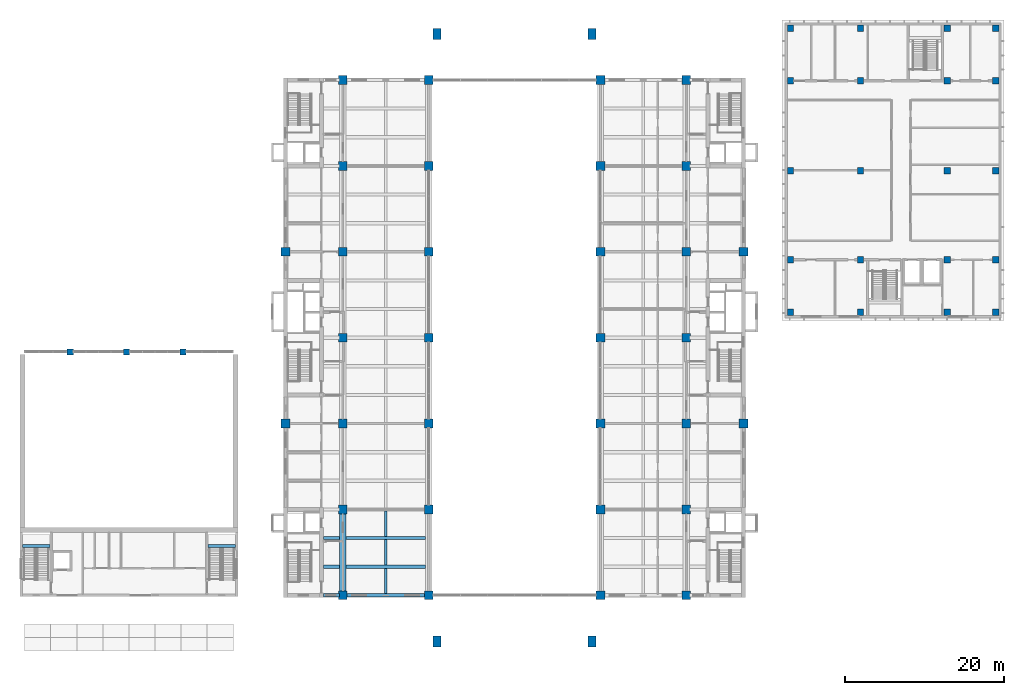
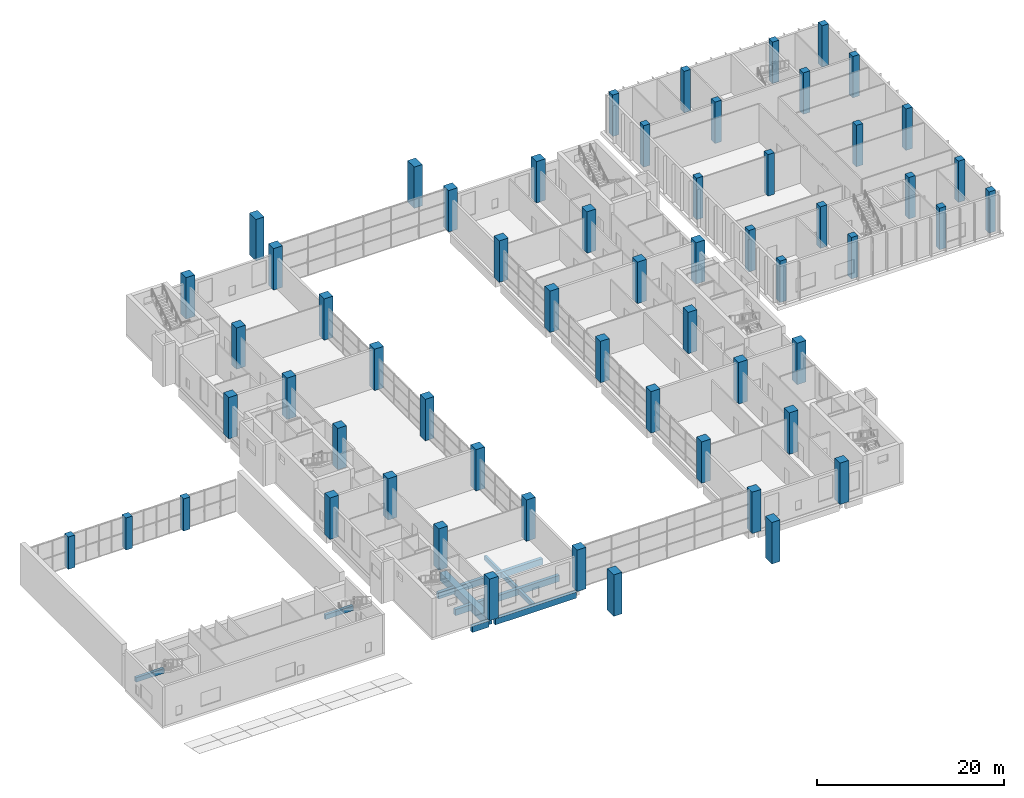
# One storey, part 1 of 33: 59 columns, 12 beams.
"""IFC4 building model written with IfcOpenShell, lengths in metres."""

from ifc_helpers import new_model, si_unit, direction, frame, origin, origin_2d, place, context, subcontext, project, spatial, rectangle, extrude, material, material_profile, profile_set, type_object, element, save


model = new_model("IFC4")

# Units and contexts
model_context = context("Model", 3, precision=1e-05, world=origin(), true_north=direction((0.0, 1.0)))
body_context = subcontext(model_context, "Body", "Model", "MODEL_VIEW")
ifc_project = project(units=[si_unit("LENGTHUNIT", "METRE"), si_unit("AREAUNIT", "SQUARE_METRE"), si_unit("VOLUMEUNIT", "CUBIC_METRE"), si_unit("PLANEANGLEUNIT", "RADIAN"), si_unit("MASSUNIT", "GRAM", prefix="KILO")], contexts=[model_context])

# Site, building, storey
site_placement = place(None, origin())
site = spatial("IfcSite", under=ifc_project, at=site_placement, CompositionType="ELEMENT")
building_placement = place(site_placement, origin())
building = spatial("IfcBuilding", under=site, at=building_placement, Name="Basin Gate Institute", CompositionType="ELEMENT")
storey_placement = place(building_placement, frame((0.0, 0.0, 6.0)))
storey = spatial("IfcBuildingStorey", under=building, at=storey_placement, Name="L01", CompositionType="ELEMENT", Elevation=6.0)

# Columns
ifc_material_1 = material(Name="Concrete 60 MPa", Category="concrete")
ifc_material_profile_1 = material_profile(ifc_material_1, rectangle(XDim=1.10009765625, YDim=1.10009765625, at=origin_2d()), Name="Column C1 1100 x 1100")
ifc_profile_set_1 = profile_set([ifc_material_profile_1], Name="Concrete 60 MPa")
column_type_1 = type_object("IfcColumnType", Name="Column C1 R180", PredefinedType="COLUMN", material=ifc_profile_set_1)
for number, where, z_axis, x_axis, name in (
    (1, (61.199951171875, 56.699951171875, 0.0), (0.0, 0.0, 1.0), (1.0, 0.0, 0.0), "COL/L01/4C"),
    (2, (61.199951171875, 78.300048828125, 0.0), (0.0, 0.0, 1.0), (1.0, 0.0, 0.0), "COL/L01/4E"),
    (3, (68.39990234375, 35.10009765625, 0.0), (0.0, 0.0, 1.0), (1.0, 0.0, 0.0), "COL/L01/5A"),
    (4, (68.39990234375, 45.89990234375, 0.0), (0.0, 0.0, 1.0), (1.0, 0.0, 0.0), "COL/L01/5B"),
    (5, (68.39990234375, 56.699951171875, 0.0), (0.0, 0.0, 1.0), (1.0, 0.0, 0.0), "COL/L01/5C"),
    (6, (68.39990234375, 67.5, 0.0), (0.0, 0.0, 1.0), (1.0, 0.0, 0.0), "COL/L01/5D"),
    (7, (68.39990234375, 78.300048828125, 0.0), (0.0, 0.0, 1.0), (1.0, 0.0, 0.0), "COL/L01/5E"),
    (8, (68.39990234375, 89.10009765625, 0.0), (0.0, 0.0, 1.0), (1.0, 0.0, 0.0), "COL/L01/5F"),
    (9, (68.39990234375, 99.89990234375, 0.0), (0.0, 0.0, 1.0), (1.0, 0.0, 0.0), "COL/L01/5G"),
    (10, (79.199951171875, 35.10009765625, 0.0), (0.0, 0.0, 1.0), (1.0, 0.0, 0.0), "COL/L01/6A"),
    (11, (79.199951171875, 45.89990234375, 0.0), (0.0, 0.0, 1.0), (1.0, 0.0, 0.0), "COL/L01/6B"),
    (12, (79.199951171875, 56.699951171875, 0.0), (0.0, 0.0, 1.0), (1.0, 0.0, 0.0), "COL/L01/6C"),
    (13, (79.199951171875, 67.5, 0.0), (0.0, 0.0, 1.0), (1.0, 0.0, 0.0), "COL/L01/6D"),
    (14, (79.199951171875, 78.300048828125, 0.0), (0.0, 0.0, 1.0), (1.0, 0.0, 0.0), "COL/L01/6E"),
    (15, (79.199951171875, 89.10009765625, 0.0), (0.0, 0.0, 1.0), (1.0, 0.0, 0.0), "COL/L01/6F"),
    (16, (79.199951171875, 99.89990234375, 0.0), (0.0, 0.0, 1.0), (1.0, 0.0, 0.0), "COL/L01/6G"),
    (17, (118.800048828125, 56.699951171875, 0.0), (0.0, 0.0, 1.0), (1.0, 0.0, 0.0), "COL/L01/9C"),
    (18, (118.800048828125, 78.300048828125, 0.0), (0.0, 0.0, 1.0), (1.0, 0.0, 0.0), "COL/L01/9E"),
    (19, (111.60009765625, 35.10009765625, 0.0), (0.0, 0.0, 1.0), (1.0, 0.0, 0.0), "COL/L01/8A"),
    (20, (111.60009765625, 45.89990234375, 0.0), (0.0, 0.0, 1.0), (1.0, 0.0, 0.0), "COL/L01/8B"),
    (21, (111.60009765625, 56.699951171875, 0.0), (0.0, 0.0, 1.0), (1.0, 0.0, 0.0), "COL/L01/8C"),
    (22, (111.60009765625, 67.5, 0.0), (0.0, 0.0, 1.0), (1.0, 0.0, 0.0), "COL/L01/8D"),
    (23, (111.60009765625, 78.300048828125, 0.0), (0.0, 0.0, 1.0), (1.0, 0.0, 0.0), "COL/L01/8E"),
    (24, (111.60009765625, 89.10009765625, 0.0), (0.0, 0.0, 1.0), (1.0, 0.0, 0.0), "COL/L01/8F"),
    (25, (111.60009765625, 99.89990234375, 0.0), (0.0, 0.0, 1.0), (1.0, 0.0, 0.0), "COL/L01/8G"),
    (26, (100.800048828125, 35.10009765625, 0.0), (0.0, 0.0, 1.0), (1.0, 0.0, 0.0), "COL/L01/7A"),
    (27, (100.800048828125, 45.89990234375, 0.0), (0.0, 0.0, 1.0), (1.0, 0.0, 0.0), "COL/L01/7B"),
    (28, (100.800048828125, 56.699951171875, 0.0), (0.0, 0.0, 1.0), (1.0, 0.0, 0.0), "COL/L01/7C"),
    (29, (100.800048828125, 67.5, 0.0), (0.0, 0.0, 1.0), (1.0, 0.0, 0.0), "COL/L01/7D"),
    (30, (100.800048828125, 78.300048828125, 0.0), (0.0, 0.0, 1.0), (1.0, 0.0, 0.0), "COL/L01/7E"),
    (31, (100.800048828125, 89.10009765625, 0.0), (0.0, 0.0, 1.0), (1.0, 0.0, 0.0), "COL/L01/7F"),
    (32, (100.800048828125, 99.89990234375, 0.0), (0.0, 0.0, 1.0), (1.0, 0.0, 0.0), "COL/L01/7G"),
):
    element("IfcColumn", number, at=place(storey_placement, frame(where, z_axis=z_axis, x_axis=x_axis)), inside=storey, type_object=column_type_1, material=ifc_profile_set_1, Name=name, PredefinedType="COLUMN", context=body_context, shape_type="SweptSolid", body=[
        extrude(rectangle(XDim=1.10009765625, YDim=1.10009765625, at=origin_2d()), origin(), (0.0, 0.0, 1.0), 5.39990234375),
    ])
ifc_material_2 = material(Name="Concrete 50 MPa", Category="concrete")
ifc_material_profile_2 = material_profile(ifc_material_2, rectangle(XDim=0.800048828125, YDim=0.800048828125, at=origin_2d()), Name="Column C4 800 x 800")
ifc_profile_set_2 = profile_set([ifc_material_profile_2], Name="Concrete 50 MPa")
column_type_2 = type_object("IfcColumnType", Name="Column C4 R180", PredefinedType="COLUMN", material=ifc_profile_set_2)
for number, where, z_axis, x_axis, name in (
    (33, (34.10009765625, 65.699951171875, 0.0), (0.0, 0.0, 1.0), (1.0, 0.0, 0.0), "Theatre clerestory column R180 1"),
    (34, (41.199951171875, 65.699951171875, 0.0), (0.0, 0.0, 1.0), (1.0, 0.0, 0.0), "Theatre clerestory column R180 2"),
    (35, (48.300048828125, 65.699951171875, 0.0), (0.0, 0.0, 1.0), (1.0, 0.0, 0.0), "Theatre clerestory column R180 3"),
):
    element("IfcColumn", number, at=place(storey_placement, frame(where, z_axis=z_axis, x_axis=x_axis)), inside=storey, type_object=column_type_2, material=ifc_profile_set_2, Name=name, PredefinedType="COLUMN", context=body_context, shape_type="SweptSolid", body=[
        extrude(rectangle(XDim=0.800048828125, YDim=0.800048828125, at=origin_2d()), origin(), (0.0, 0.0, 1.0), 4.199951171875),
    ])
for number, where, z_axis, x_axis, name in (
    (36, (124.699951171875, 70.699951171875, 0.0), (0.0, 0.0, 1.0), (1.0, 0.0, 0.0), "Clean block column R180 1/1 L01"),
    (37, (124.699951171875, 77.300048828125, 0.0), (0.0, 0.0, 1.0), (1.0, 0.0, 0.0), "Clean block column R180 1/2 L01"),
    (38, (124.699951171875, 88.5, 0.0), (0.0, 0.0, 1.0), (1.0, 0.0, 0.0), "Clean block column R180 1/3 L01"),
    (39, (124.699951171875, 99.800048828125, 0.0), (0.0, 0.0, 1.0), (1.0, 0.0, 0.0), "Clean block column R180 1/4 L01"),
    (40, (124.699951171875, 106.39990234375, 0.0), (0.0, 0.0, 1.0), (1.0, 0.0, 0.0), "Clean block column R180 1/5 L01"),
    (41, (133.5, 70.699951171875, 0.0), (0.0, 0.0, 1.0), (1.0, 0.0, 0.0), "Clean block column R180 2/1 L01"),
    (42, (133.5, 77.300048828125, 0.0), (0.0, 0.0, 1.0), (1.0, 0.0, 0.0), "Clean block column R180 2/2 L01"),
    (43, (133.5, 88.5, 0.0), (0.0, 0.0, 1.0), (1.0, 0.0, 0.0), "Clean block column R180 2/3 L01"),
    (44, (133.5, 99.800048828125, 0.0), (0.0, 0.0, 1.0), (1.0, 0.0, 0.0), "Clean block column R180 2/4 L01"),
    (45, (133.5, 106.39990234375, 0.0), (0.0, 0.0, 1.0), (1.0, 0.0, 0.0), "Clean block column R180 2/5 L01"),
    (46, (144.39990234375, 70.699951171875, 0.0), (0.0, 0.0, 1.0), (1.0, 0.0, 0.0), "Clean block column R180 3/1 L01"),
    (47, (144.39990234375, 77.300048828125, 0.0), (0.0, 0.0, 1.0), (1.0, 0.0, 0.0), "Clean block column R180 3/2 L01"),
    (48, (144.39990234375, 88.5, 0.0), (0.0, 0.0, 1.0), (1.0, 0.0, 0.0), "Clean block column R180 3/3 L01"),
    (49, (144.39990234375, 99.800048828125, 0.0), (0.0, 0.0, 1.0), (1.0, 0.0, 0.0), "Clean block column R180 3/4 L01"),
    (50, (144.39990234375, 106.39990234375, 0.0), (0.0, 0.0, 1.0), (1.0, 0.0, 0.0), "Clean block column R180 3/5 L01"),
    (51, (150.5, 70.699951171875, 0.0), (0.0, 0.0, 1.0), (1.0, 0.0, 0.0), "Clean block column R180 4/1 L01"),
    (52, (150.5, 77.300048828125, 0.0), (0.0, 0.0, 1.0), (1.0, 0.0, 0.0), "Clean block column R180 4/2 L01"),
    (53, (150.5, 88.5, 0.0), (0.0, 0.0, 1.0), (1.0, 0.0, 0.0), "Clean block column R180 4/3 L01"),
    (54, (150.5, 99.800048828125, 0.0), (0.0, 0.0, 1.0), (1.0, 0.0, 0.0), "Clean block column R180 4/4 L01"),
    (55, (150.5, 106.39990234375, 0.0), (0.0, 0.0, 1.0), (1.0, 0.0, 0.0), "Clean block column R180 4/5 L01"),
):
    element("IfcColumn", number, at=place(storey_placement, frame(where, z_axis=z_axis, x_axis=x_axis)), inside=storey, type_object=column_type_2, material=ifc_profile_set_2, Name=name, PredefinedType="COLUMN", context=body_context, shape_type="SweptSolid", body=[
        extrude(rectangle(XDim=0.800048828125, YDim=0.800048828125, at=origin_2d()), origin(), (0.0, 0.0, 1.0), 5.39990234375),
    ])
ifc_material_3 = material(Name="Concrete 40 MPa", Category="concrete")
ifc_material_profile_3 = material_profile(ifc_material_3, rectangle(XDim=1.0, YDim=1.39990234375, at=origin_2d()), Name="Shell portal column SC1 1000 x 1400")
ifc_profile_set_3 = profile_set([ifc_material_profile_3], Name="Concrete 40 MPa")
column_type_3 = type_object("IfcColumnType", Name="Shell portal column SC1 R180", PredefinedType="COLUMN", material=ifc_profile_set_3)
for number, where, z_axis, x_axis, name in (
    (56, (80.25, 29.300048828125, 0.0), (0.0, 0.0, 1.0), (1.0, 0.0, 0.0), "Atrium shell portal column R180 SW L01"),
    (57, (99.75, 29.300048828125, 0.0), (0.0, 0.0, 1.0), (1.0, 0.0, 0.0), "Atrium shell portal column R180 SE L01"),
    (58, (80.25, 105.699951171875, 0.0), (0.0, 0.0, 1.0), (1.0, 0.0, 0.0), "Atrium shell portal column R180 NW L01"),
    (59, (99.75, 105.699951171875, 0.0), (0.0, 0.0, 1.0), (1.0, 0.0, 0.0), "Atrium shell portal column R180 NE L01"),
):
    element("IfcColumn", number, at=place(storey_placement, frame(where, z_axis=z_axis, x_axis=x_axis)), inside=storey, type_object=column_type_3, material=ifc_profile_set_3, Name=name, PredefinedType="COLUMN", context=body_context, shape_type="SweptSolid", body=[
        extrude(rectangle(XDim=1.0, YDim=1.39990234375, at=origin_2d()), origin(), (0.0, 0.0, 1.0), 5.39990234375),
    ])

# Beams
ifc_material_4 = material(Name="Concrete 40 MPa", Category="concrete")
ifc_material_profile_4 = material_profile(ifc_material_4, rectangle(XDim=0.39990234375, YDim=0.800048828125, at=origin_2d()), Name="Beam B2 400 x 800")
ifc_profile_set_4 = profile_set([ifc_material_profile_4], Name="Concrete 40 MPa")
beam_type_1 = type_object("IfcBeamType", Name="Beam B2 R180", PredefinedType="BEAM", material=ifc_profile_set_4)
beam_1_placement = place(storey_placement, frame((68.800048828125, 35.10009765625, -0.699951171875), z_axis=(1.0, 0.0, 0.0), x_axis=(0.0, 1.0, 0.0)))
element("IfcBeam", 60, at=beam_1_placement, inside=storey, type_object=beam_type_1, material=ifc_profile_set_4, Name="BEAM/L01/W/EW/01", PredefinedType="BEAM", context=body_context, shape_type="SweptSolid", body=[
    extrude(rectangle(XDim=0.39990234375, YDim=0.800048828125, at=origin_2d()), origin(), (0.0, 0.0, 1.0), 10.0),
])
beam_2_placement = place(storey_placement, frame((65.949951171875, 35.10009765625, -0.699951171875), z_axis=(1.0, 0.0, 0.0), x_axis=(0.0, 1.0, 0.0)))
element("IfcBeam", 61, at=beam_2_placement, inside=storey, type_object=beam_type_1, material=ifc_profile_set_4, Name="BEAM/L01/W/CORR/01", PredefinedType="BEAM", context=body_context, shape_type="SweptSolid", body=[
    extrude(rectangle(XDim=0.39990234375, YDim=0.800048828125, at=origin_2d()), origin(), (0.0, 0.0, 1.0), 2.050048828125),
])
beam_3_placement = place(storey_placement, frame((68.800048828125, 38.699951171875, -0.699951171875), z_axis=(1.0, 0.0, 0.0), x_axis=(0.0, 1.0, 0.0)))
element("IfcBeam", 62, at=beam_3_placement, inside=storey, type_object=beam_type_1, material=ifc_profile_set_4, Name="BEAM/L01/W/EW/02", PredefinedType="BEAM", context=body_context, shape_type="SweptSolid", body=[
    extrude(rectangle(XDim=0.39990234375, YDim=0.800048828125, at=origin_2d()), origin(), (0.0, 0.0, 1.0), 10.0),
])
beam_4_placement = place(storey_placement, frame((65.949951171875, 38.699951171875, -0.699951171875), z_axis=(1.0, 0.0, 0.0), x_axis=(0.0, 1.0, 0.0)))
element("IfcBeam", 63, at=beam_4_placement, inside=storey, type_object=beam_type_1, material=ifc_profile_set_4, Name="BEAM/L01/W/CORR/02", PredefinedType="BEAM", context=body_context, shape_type="SweptSolid", body=[
    extrude(rectangle(XDim=0.39990234375, YDim=0.800048828125, at=origin_2d()), origin(), (0.0, 0.0, 1.0), 2.050048828125),
])
beam_5_placement = place(storey_placement, frame((68.800048828125, 42.300048828125, -0.699951171875), z_axis=(1.0, 0.0, 0.0), x_axis=(0.0, 1.0, 0.0)))
element("IfcBeam", 64, at=beam_5_placement, inside=storey, type_object=beam_type_1, material=ifc_profile_set_4, Name="BEAM/L01/W/EW/03", PredefinedType="BEAM", context=body_context, shape_type="SweptSolid", body=[
    extrude(rectangle(XDim=0.39990234375, YDim=0.800048828125, at=origin_2d()), origin(), (0.0, 0.0, 1.0), 10.0),
])
beam_6_placement = place(storey_placement, frame((65.949951171875, 42.300048828125, -0.699951171875), z_axis=(1.0, 0.0, 0.0), x_axis=(0.0, 1.0, 0.0)))
element("IfcBeam", 65, at=beam_6_placement, inside=storey, type_object=beam_type_1, material=ifc_profile_set_4, Name="BEAM/L01/W/CORR/03", PredefinedType="BEAM", context=body_context, shape_type="SweptSolid", body=[
    extrude(rectangle(XDim=0.39990234375, YDim=0.800048828125, at=origin_2d()), origin(), (0.0, 0.0, 1.0), 2.050048828125),
])
ifc_material_5 = material(Name="Concrete 40 MPa", Category="concrete")
ifc_material_profile_5 = material_profile(ifc_material_5, rectangle(XDim=0.35009765625, YDim=0.60009765625, at=origin_2d()), Name="Beam B4 350 x 600")
ifc_profile_set_5 = profile_set([ifc_material_profile_5], Name="Concrete 40 MPa")
beam_type_2 = type_object("IfcBeamType", Name="Beam B4 R180", PredefinedType="BEAM", material=ifc_profile_set_5)
for number, where, z_axis, x_axis, name in (
    (66, (28.10009765625, 41.28759765625, 2.199951171875), (1.0, 0.0, 0.0), (0.0, 1.0, 0.0), "Stair landing beam ST-T2 L01"),
    (67, (51.425048828125, 41.28759765625, 2.199951171875), (1.0, 0.0, 0.0), (0.0, 1.0, 0.0), "Stair landing beam ST-T4 L01"),
):
    element("IfcBeam", number, at=place(storey_placement, frame(where, z_axis=z_axis, x_axis=x_axis)), inside=storey, type_object=beam_type_2, material=ifc_profile_set_5, Name=name, PredefinedType="BEAM", context=body_context, shape_type="SweptSolid", body=[
        extrude(rectangle(XDim=0.35009765625, YDim=0.60009765625, at=origin_2d()), origin(), (0.0, 0.0, 1.0), 3.474853515625),
    ])
ifc_material_6 = material(Name="Concrete 50 MPa", Category="concrete")
ifc_material_profile_6 = material_profile(ifc_material_6, rectangle(XDim=0.800048828125, YDim=1.10009765625, at=origin_2d()), Name="Girder G2 800 x 1100")
ifc_profile_set_6 = profile_set([ifc_material_profile_6], Name="Concrete 50 MPa")
beam_type_3 = type_object("IfcBeamType", Name="Girder G2 R180", PredefinedType="BEAM", material=ifc_profile_set_6)
beam_7_placement = place(storey_placement, frame((68.39990234375, 35.64990234375, -0.85009765625), z_axis=(0.0, 1.0, 0.0), x_axis=(-1.0, 0.0, 0.0)))
element("IfcBeam", 68, at=beam_7_placement, inside=storey, type_object=beam_type_3, material=ifc_profile_set_6, Name="GIR/L01/W5/1", PredefinedType="BEAM", context=body_context, shape_type="SweptSolid", body=[
    extrude(rectangle(XDim=0.800048828125, YDim=1.10009765625, at=origin_2d()), origin(), (0.0, 0.0, 1.0), 9.7001953125),
])
ifc_material_7 = material(Name="Concrete 40 MPa", Category="concrete")
ifc_material_profile_7 = material_profile(ifc_material_7, rectangle(XDim=0.300048828125, YDim=0.60009765625, at=origin_2d()), Name="Rib R2 300 x 600")
ifc_profile_set_7 = profile_set([ifc_material_profile_7], Name="Concrete 40 MPa")
beam_type_4 = type_object("IfcBeamType", Name="Rib R2 R180", PredefinedType="JOIST", material=ifc_profile_set_7)
beam_8_placement = place(storey_placement, frame((73.800048828125, 35.300048828125, -0.60009765625), z_axis=(0.0, 1.0, 0.0), x_axis=(-1.0, 0.0, 0.0)))
element("IfcBeam", 69, at=beam_8_placement, inside=storey, type_object=beam_type_4, material=ifc_profile_set_7, Name="BEAM/L01/W/RIB/01", PredefinedType="JOIST", context=body_context, shape_type="SweptSolid", body=[
    extrude(rectangle(XDim=0.300048828125, YDim=0.60009765625, at=origin_2d()), origin(), (0.0, 0.0, 1.0), 3.199951171875),
])
beam_9_placement = place(storey_placement, frame((73.800048828125, 38.89990234375, -0.60009765625), z_axis=(0.0, 1.0, 0.0), x_axis=(-1.0, 0.0, 0.0)))
element("IfcBeam", 70, at=beam_9_placement, inside=storey, type_object=beam_type_4, material=ifc_profile_set_7, Name="BEAM/L01/W/RIB/02", PredefinedType="JOIST", context=body_context, shape_type="SweptSolid", body=[
    extrude(rectangle(XDim=0.300048828125, YDim=0.60009765625, at=origin_2d()), origin(), (0.0, 0.0, 1.0), 3.2001953125),
])
beam_10_placement = place(storey_placement, frame((73.800048828125, 42.5, -0.60009765625), z_axis=(0.0, 1.0, 0.0), x_axis=(-1.0, 0.0, 0.0)))
element("IfcBeam", 71, at=beam_10_placement, inside=storey, type_object=beam_type_4, material=ifc_profile_set_7, Name="BEAM/L01/W/RIB/03", PredefinedType="JOIST", context=body_context, shape_type="SweptSolid", body=[
    extrude(rectangle(XDim=0.300048828125, YDim=0.60009765625, at=origin_2d()), origin(), (0.0, 0.0, 1.0), 3.199951171875),
])

save(model, "model.ifc")
